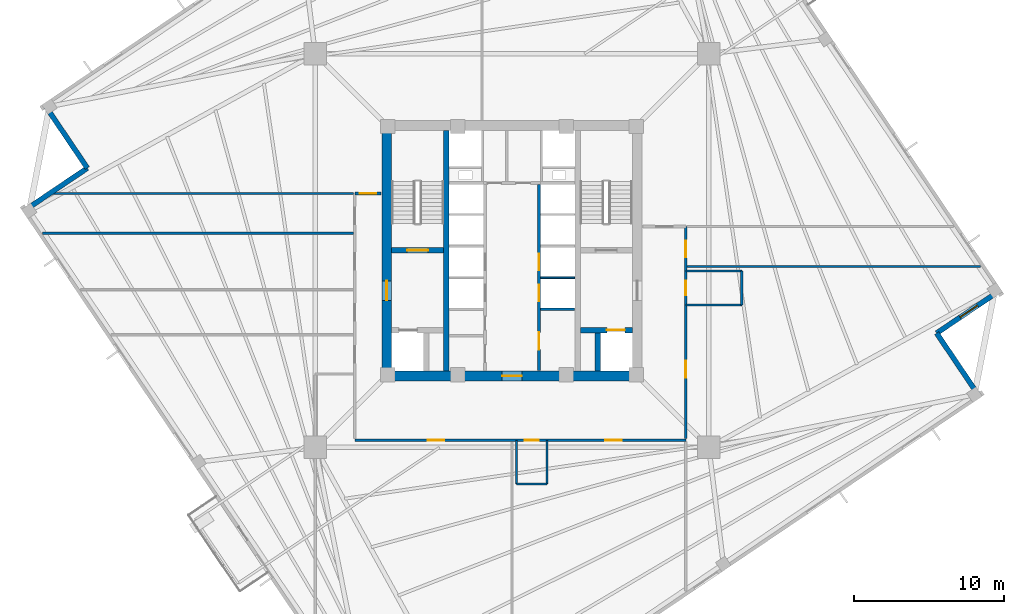
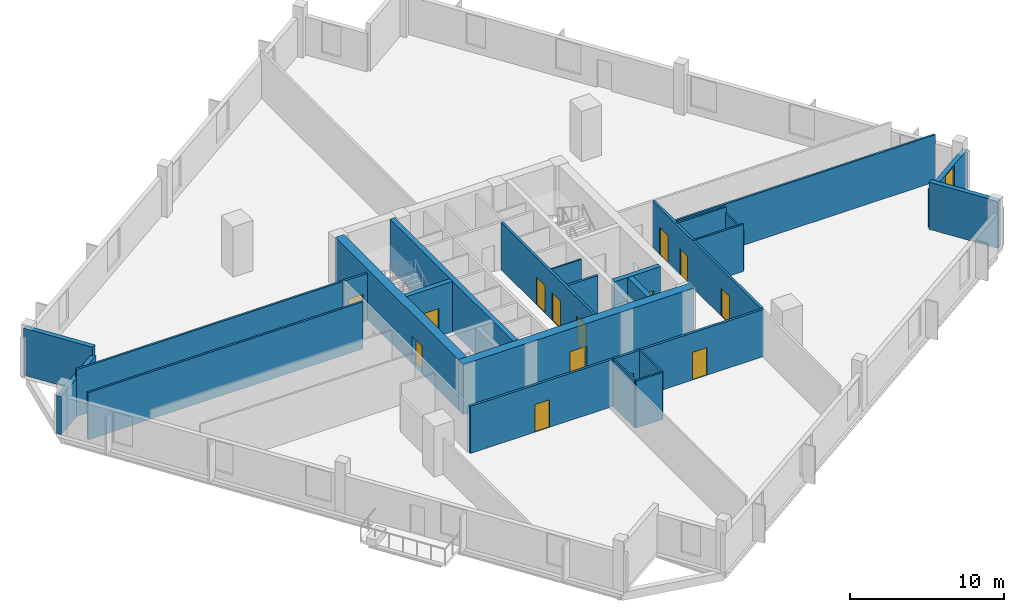
# One storey, part 4 of 9: 25 walls, 14 doors, 1 window, 15 openings.
"""IFC4 building model written with IfcOpenShell, lengths in metres."""

from ifc_helpers import new_model, si_unit, direction, frame, frame_2d, origin, place, context, subcontext, project, spatial, rectangle, extrude, source, transform, mapped, material, layer, layer_set, type_object, element, fill, save


model = new_model("IFC4")

# Units and contexts
model_context = context("Model", 3, precision=1e-05, world=origin(), true_north=direction((0.0, 1.0)))
body_context = subcontext(model_context, "Body", "Model", "MODEL_VIEW")
ifc_project = project(units=[si_unit("LENGTHUNIT", "METRE"), si_unit("AREAUNIT", "SQUARE_METRE"), si_unit("VOLUMEUNIT", "CUBIC_METRE"), si_unit("PLANEANGLEUNIT", "RADIAN"), si_unit("MASSUNIT", "GRAM", prefix="KILO"), si_unit("THERMODYNAMICTEMPERATUREUNIT", "KELVIN")], contexts=[model_context])

# Site, building, storey
site_placement = place(None, origin())
site = spatial("IfcSite", under=ifc_project, at=site_placement, CompositionType="ELEMENT")
building_placement = place(site_placement, origin())
building = spatial("IfcBuilding", under=site, at=building_placement, Name="Kosmvard Interchange Tower", CompositionType="ELEMENT")
storey_placement = place(building_placement, frame((0.0, 0.0, 180.39990234375)))
storey = spatial("IfcBuildingStorey", under=building, at=storey_placement, Name="L43", CompositionType="ELEMENT", Elevation=180.39990234375)

# Walls
ifc_material_1 = material(Name="Acoustic gypsum partition system")
ifc_layer_1 = layer(ifc_material_1, 0.14990234375, Name="Acoustic gypsum partition system")
ifc_layer_set_1 = layer_set([ifc_layer_1], Name="Acoustic gypsum partition system")
wall_type_1 = type_object("IfcWallType", Name="Acoustic Suite & Meeting Partition 150", PredefinedType="PARTITIONING", material=ifc_layer_set_1)
wall_1_placement = place(storey_placement, frame((-31.20263671875, 1.14990234375, 0.0), z_axis=(0.0, 0.0, 1.0), x_axis=(1.0, 0.0, 0.0)))
element("IfcWall", 1, at=wall_1_placement, inside=storey, type_object=wall_type_1, Name="L43 Room Partition 02.1", PredefinedType="PARTITIONING", context=body_context, shape_type="SweptSolid", body=[
    extrude(rectangle(XDim=20.65771484375, YDim=0.14990234375, at=frame_2d((10.328857421875, 0.0))), origin(), (0.0, 0.0, 1.0), 3.739990234375),
])
wall_2_placement = place(storey_placement, frame((-30.534423828125, 3.800048828125, 0.0), z_axis=(0.0, 0.0, 1.0), x_axis=(1.0, 0.0, 0.0)))
element("IfcWall", 2, at=wall_2_placement, inside=storey, type_object=wall_type_1, Name="L43 Room Partition 03.1", PredefinedType="PARTITIONING", context=body_context, shape_type="SweptSolid", body=[
    extrude(rectangle(XDim=19.989501953125, YDim=0.14990234375, at=frame_2d((9.99462890625, 0.0))), origin(), (0.0, 0.0, 1.0), 3.739990234375),
])
wall_3_placement = place(storey_placement, frame((11.64501953125, -1.050048828125, 0.0), z_axis=(0.0, 0.0, 1.0), x_axis=(1.0, 0.0, 0.0)))
element("IfcWall", 3, at=wall_3_placement, inside=storey, type_object=wall_type_1, Name="L43 Room Partition 04.1", PredefinedType="PARTITIONING", context=body_context, shape_type="SweptSolid", body=[
    extrude(rectangle(XDim=19.489990234375, YDim=0.14990234375, at=frame_2d((9.7451171875, 0.0))), origin(), (0.0, 0.0, 1.0), 3.739990234375),
])

# Wall, openings, doors
ifc_material_2 = material(Name="Fire-rated gypsum partition system")
ifc_layer_2 = layer(ifc_material_2, 0.179931640625, Name="Fire-rated gypsum partition system")
ifc_layer_set_2 = layer_set([ifc_layer_2], Name="Fire-rated gypsum partition system")
wall_type_2 = type_object("IfcWallType", Name="Corridor & Hotel Compartment Partition 180", PredefinedType="PARTITIONING", material=ifc_layer_set_2)
wall_4_placement = place(storey_placement, frame((1.7900390625, -7.97998046875, 0.0), z_axis=(0.0, 0.0, 1.0), x_axis=(0.0, 1.0, 0.0)))
wall_4 = element("IfcWall", 4, at=wall_4_placement, inside=storey, type_object=wall_type_2, Name="L43 East Lift Bank Front Wall", PredefinedType="PARTITIONING", context=body_context, shape_type="SweptSolid", body=[
    extrude(rectangle(XDim=12.3798828125, YDim=0.179931640625, at=frame_2d((6.18994140625, 0.0))), origin(), (0.0, 0.0, 1.0), 3.739990234375),
])
opening_1_placement = place(wall_4_placement, frame((4.60009765625, 0.0, 0.0)))
opening_1 = element("IfcOpeningElement", 5, at=opening_1_placement, cuts=wall_4, Name="Opening LD-PL-M3-L43", PredefinedType="OPENING", context=body_context, shape_type="SweptSolid", body=[
    extrude(rectangle(XDim=1.10009765625, YDim=2.199951171875, at=frame_2d((0.550048828125, 1.10009765625))), frame((0.0, 0.10009765625, 0.0), z_axis=(0.0, -1.0, 0.0), x_axis=(1.0, 0.0, 0.0)), (0.0, 0.0, 1.0), 0.199951171875),
])
opening_2_placement = place(wall_4_placement, frame((6.659912109375, 0.0, 0.0)))
opening_2 = element("IfcOpeningElement", 6, at=opening_2_placement, cuts=wall_4, Name="Opening LD-PL-M4-L43", PredefinedType="OPENING", context=body_context, shape_type="SweptSolid", body=[
    extrude(rectangle(XDim=1.10009765625, YDim=2.199951171875, at=frame_2d((0.550048828125, 1.10009765625))), frame((0.0, 0.10009765625, 0.0), z_axis=(0.0, -1.0, 0.0), x_axis=(1.0, 0.0, 0.0)), (0.0, 0.0, 1.0), 0.199951171875),
])
opening_3_placement = place(wall_4_placement, frame((1.39990234375, 0.0, 0.0)))
opening_3 = element("IfcOpeningElement", 7, at=opening_3_placement, cuts=wall_4, Name="Opening L43-CD3", PredefinedType="OPENING", context=body_context, shape_type="SweptSolid", body=[
    extrude(rectangle(XDim=1.14990234375, YDim=2.25, at=frame_2d((0.574951171875, 1.125))), frame((0.0, 0.10009765625, 0.0), z_axis=(0.0, -1.0, 0.0), x_axis=(1.0, 0.0, 0.0)), (0.0, 0.0, 1.0), 0.199951171875),
])
ifc_material_3 = material(Name="Painted fire-rated steel leaf", Category="steel")
door_type_1 = type_object("IfcDoorType", Name="Plant & Riser Fire Door 1150x2250 EI60", OperationType="NOTDEFINED", PredefinedType="DOOR", material=ifc_material_3)
shared_shape_1 = source(origin(), body_context, "Body", "SweptSolid", [
    extrude(rectangle(XDim=1.14990234375, YDim=2.25, at=frame_2d((0.574951171875, 1.125))), frame((0.0, 0.02490234375, 0.0), z_axis=(0.0, -1.0, 0.0), x_axis=(1.0, 0.0, 0.0)), (0.0, 0.0, 1.0), 0.050048828125),
])
door_1_placement = place(opening_3_placement, frame((1.14990234375, 0.0, 0.0), z_axis=(0.0, 0.0, 1.0), x_axis=(-1.0, 0.0, 0.0)))
door_1 = element("IfcDoor", 8, at=door_1_placement, inside=storey, type_object=door_type_1, Name="L43 Core Telecoms Door", OperationType="SINGLE_SWING_RIGHT", OverallHeight=2.25, OverallWidth=1.14990234375, PredefinedType="DOOR", context=body_context, shape_type="MappedRepresentation", body=[
    mapped(shared_shape_1, transform((0.0, 0.0, 0.0), scale=1.0)),
])
fill(opening_3, door_1)
ifc_material_4 = material(Name="Brushed stainless steel sliding leaf", Category="steel")
door_type_2 = type_object("IfcDoorType", Name="Passenger Lift Sliding Landing Door 1100x2200 EI60", OperationType="DOUBLE_DOOR_SLIDING", PredefinedType="DOOR", material=ifc_material_4)
shared_shape_2 = source(origin(), body_context, "Body", "SweptSolid", [
    extrude(rectangle(XDim=1.10009765625, YDim=2.199951171875, at=frame_2d((0.550048828125, 1.10009765625))), frame((0.0, 0.02490234375, 0.0), z_axis=(0.0, -1.0, 0.0), x_axis=(1.0, 0.0, 0.0)), (0.0, 0.0, 1.0), 0.050048828125),
])
door_2_placement = place(opening_1_placement, origin())
door_2 = element("IfcDoor", 9, at=door_2_placement, inside=storey, type_object=door_type_2, Name="Lift PL-M3 Landing Door L43", OperationType="DOUBLE_DOOR_SLIDING", OverallHeight=2.199951171875, OverallWidth=1.10009765625, PredefinedType="DOOR", context=body_context, shape_type="MappedRepresentation", body=[
    mapped(shared_shape_2, transform((0.0, 0.0, 0.0), scale=1.0)),
])
fill(opening_1, door_2)
door_3_placement = place(opening_2_placement, origin())
door_3 = element("IfcDoor", 10, at=door_3_placement, inside=storey, type_object=door_type_2, Name="Lift PL-M4 Landing Door L43", OperationType="DOUBLE_DOOR_SLIDING", OverallHeight=2.199951171875, OverallWidth=1.10009765625, PredefinedType="DOOR", context=body_context, shape_type="MappedRepresentation", body=[
    mapped(shared_shape_2, transform((0.0, 0.0, 0.0), scale=1.0)),
])
fill(opening_2, door_3)

wall_5_placement = place(storey_placement, frame((-10.449951171875, -12.60009765625, 0.0), z_axis=(0.0, 0.0, 1.0), x_axis=(1.0, 0.0, 0.0)))
wall_5 = element("IfcWall", 11, at=wall_5_placement, inside=storey, type_object=wall_type_2, Name="L43 Corridor Wall CS", PredefinedType="PARTITIONING", context=body_context, shape_type="SweptSolid", body=[
    extrude(rectangle(XDim=22.0, YDim=0.179931640625, at=frame_2d((11.0, 0.0))), origin(), (0.0, 0.0, 1.0), 3.739990234375),
])
opening_4_placement = place(wall_5_placement, frame((11.2861328125, 0.0, 0.0)))
opening_4 = element("IfcOpeningElement", 12, at=opening_4_placement, cuts=wall_5, Name="Opening L43-D01", PredefinedType="OPENING", context=body_context, shape_type="SweptSolid", body=[
    extrude(rectangle(XDim=0.949951171875, YDim=2.10009765625, at=frame_2d((0.47509765625, 1.050048828125))), frame((0.0, 0.10009765625, 0.0), z_axis=(0.0, -1.0, 0.0), x_axis=(1.0, 0.0, 0.0)), (0.0, 0.0, 1.0), 0.199951171875),
])
opening_5_placement = place(wall_5_placement, frame((4.83935546875, 0.0, 0.0)))
opening_5 = element("IfcOpeningElement", 13, at=opening_5_placement, cuts=wall_5, Name="Opening L43-D10", PredefinedType="OPENING", context=body_context, shape_type="SweptSolid", body=[
    extrude(rectangle(XDim=1.10009765625, YDim=2.199951171875, at=frame_2d((0.550048828125, 1.10009765625))), frame((0.0, 0.10009765625, 0.0), z_axis=(0.0, -1.0, 0.0), x_axis=(1.0, 0.0, 0.0)), (0.0, 0.0, 1.0), 0.199951171875),
])
opening_6_placement = place(wall_5_placement, frame((16.66015625, 0.0, 0.0)))
opening_6 = element("IfcOpeningElement", 14, at=opening_6_placement, cuts=wall_5, Name="Opening L43-D11", PredefinedType="OPENING", context=body_context, shape_type="SweptSolid", body=[
    extrude(rectangle(XDim=1.10009765625, YDim=2.199951171875, at=frame_2d((0.550048828125, 1.10009765625))), frame((0.0, 0.10009765625, 0.0), z_axis=(0.0, -1.0, 0.0), x_axis=(1.0, 0.0, 0.0)), (0.0, 0.0, 1.0), 0.199951171875),
])
ifc_material_5 = material(Name="Laminated moisture-resistant timber", Category="wood")
door_type_3 = type_object("IfcDoorType", Name="Accessible Washroom Door 950x2100", OperationType="NOTDEFINED", PredefinedType="DOOR", material=ifc_material_5)
shared_shape_3 = source(origin(), body_context, "Body", "SweptSolid", [
    extrude(rectangle(XDim=0.949951171875, YDim=2.10009765625, at=frame_2d((0.47509765625, 1.050048828125))), frame((0.0, 0.02490234375, 0.0), z_axis=(0.0, -1.0, 0.0), x_axis=(1.0, 0.0, 0.0)), (0.0, 0.0, 1.0), 0.050048828125),
])
door_4_placement = place(opening_4_placement, frame((0.949951171875, 0.0, 0.0), z_axis=(0.0, 0.0, 1.0), x_axis=(-1.0, 0.0, 0.0)))
door_4 = element("IfcDoor", 15, at=door_4_placement, inside=storey, type_object=door_type_3, Name="L43 Accessible Toilet Door", OperationType="SINGLE_SWING_LEFT", OverallHeight=2.10009765625, OverallWidth=0.949951171875, PredefinedType="DOOR", context=body_context, shape_type="MappedRepresentation", body=[
    mapped(shared_shape_3, transform((0.0, 0.0, 0.0), scale=1.0)),
])
fill(opening_4, door_4)
ifc_material_6 = material(Name="Engineered oak fire-rated timber", Category="wood")
door_type_4 = type_object("IfcDoorType", Name="Office Suite Entrance Door 1100x2200 FD30S", OperationType="NOTDEFINED", PredefinedType="DOOR", material=ifc_material_6)
door_5_placement = place(opening_5_placement, frame((1.10009765625, 0.0, 0.0), z_axis=(0.0, 0.0, 1.0), x_axis=(-1.0, 0.0, 0.0)))
door_5 = element("IfcDoor", 16, at=door_5_placement, inside=storey, type_object=door_type_4, Name="L43 Sky Terrace Espresso Cafe Door", OperationType="SINGLE_SWING_RIGHT", OverallHeight=2.199951171875, OverallWidth=1.10009765625, PredefinedType="DOOR", context=body_context, shape_type="MappedRepresentation", body=[
    mapped(shared_shape_2, transform((0.0, 0.0, 0.0), scale=1.0)),
])
fill(opening_5, door_5)
door_6_placement = place(opening_6_placement, frame((1.10009765625, 0.0, 0.0), z_axis=(0.0, 0.0, 1.0), x_axis=(-1.0, 0.0, 0.0)))
door_6 = element("IfcDoor", 17, at=door_6_placement, inside=storey, type_object=door_type_4, Name="L43 Operations Boardroom 1 Door", OperationType="SINGLE_SWING_LEFT", OverallHeight=2.199951171875, OverallWidth=1.10009765625, PredefinedType="DOOR", context=body_context, shape_type="MappedRepresentation", body=[
    mapped(shared_shape_2, transform((0.0, 0.0, 0.0), scale=1.0)),
])
fill(opening_6, door_6)

wall_6_placement = place(storey_placement, frame((11.550048828125, -12.5, 0.0), z_axis=(0.0, 0.0, 1.0), x_axis=(0.0, 1.0, 0.0)))
wall_6 = element("IfcWall", 18, at=wall_6_placement, inside=storey, type_object=wall_type_2, Name="L43 Corridor Wall CE", PredefinedType="PARTITIONING", context=body_context, shape_type="SweptSolid", body=[
    extrude(rectangle(XDim=14.10009765625, YDim=0.179931640625, at=frame_2d((7.050048828125, 0.0))), origin(), (0.0, 0.0, 1.0), 3.739990234375),
])
opening_7_placement = place(wall_6_placement, frame((9.538818359375, 0.0, 0.0)))
opening_7 = element("IfcOpeningElement", 19, at=opening_7_placement, cuts=wall_6, Name="Opening L43-D02", PredefinedType="OPENING", context=body_context, shape_type="SweptSolid", body=[
    extrude(rectangle(XDim=0.949951171875, YDim=2.10009765625, at=frame_2d((0.47509765625, 1.050048828125))), frame((0.0, 0.10009765625, 0.0), z_axis=(0.0, -1.0, 0.0), x_axis=(1.0, 0.0, 0.0)), (0.0, 0.0, 1.0), 0.199951171875),
])
opening_8_placement = place(wall_6_placement, frame((12.060546875, 0.0, 0.0)))
opening_8 = element("IfcOpeningElement", 20, at=opening_8_placement, cuts=wall_6, Name="Opening L43-D06", PredefinedType="OPENING", context=body_context, shape_type="SweptSolid", body=[
    extrude(rectangle(XDim=1.10009765625, YDim=2.199951171875, at=frame_2d((0.550048828125, 1.10009765625))), frame((0.0, 0.10009765625, 0.0), z_axis=(0.0, -1.0, 0.0), x_axis=(1.0, 0.0, 0.0)), (0.0, 0.0, 1.0), 0.199951171875),
])
opening_9_placement = place(wall_6_placement, frame((4.06494140625, 0.0, 0.0)))
opening_9 = element("IfcOpeningElement", 21, at=opening_9_placement, cuts=wall_6, Name="Opening L43-D12", PredefinedType="OPENING", context=body_context, shape_type="SweptSolid", body=[
    extrude(rectangle(XDim=1.10009765625, YDim=2.199951171875, at=frame_2d((0.550048828125, 1.10009765625))), frame((0.0, 0.10009765625, 0.0), z_axis=(0.0, -1.0, 0.0), x_axis=(1.0, 0.0, 0.0)), (0.0, 0.0, 1.0), 0.199951171875),
])
door_7_placement = place(opening_7_placement, frame((0.949951171875, 0.0, 0.0), z_axis=(0.0, 0.0, 1.0), x_axis=(-1.0, 0.0, 0.0)))
door_7 = element("IfcDoor", 22, at=door_7_placement, inside=storey, type_object=door_type_3, Name="L43 Public Floor Washroom Door", OperationType="SINGLE_SWING_RIGHT", OverallHeight=2.10009765625, OverallWidth=0.949951171875, PredefinedType="DOOR", context=body_context, shape_type="MappedRepresentation", body=[
    mapped(shared_shape_3, transform((0.0, 0.0, 0.0), scale=1.0)),
])
fill(opening_7, door_7)
door_8_placement = place(opening_8_placement, frame((1.10009765625, 0.0, 0.0), z_axis=(0.0, 0.0, 1.0), x_axis=(-1.0, 0.0, 0.0)))
door_8 = element("IfcDoor", 23, at=door_8_placement, inside=storey, type_object=door_type_4, Name="L43 Tech Staff Fitness Studio Door", OperationType="SINGLE_SWING_RIGHT", OverallHeight=2.199951171875, OverallWidth=1.10009765625, PredefinedType="DOOR", context=body_context, shape_type="MappedRepresentation", body=[
    mapped(shared_shape_2, transform((0.0, 0.0, 0.0), scale=1.0)),
])
fill(opening_8, door_8)
door_9_placement = place(opening_9_placement, frame((1.10009765625, 0.0, 0.0), z_axis=(0.0, 0.0, 1.0), x_axis=(-1.0, 0.0, 0.0)))
door_9 = element("IfcDoor", 24, at=door_9_placement, inside=storey, type_object=door_type_4, Name="L43 South-East Open DevOps Studio Door", OperationType="SINGLE_SWING_RIGHT", OverallHeight=2.199951171875, OverallWidth=1.10009765625, PredefinedType="DOOR", context=body_context, shape_type="MappedRepresentation", body=[
    mapped(shared_shape_2, transform((0.0, 0.0, 0.0), scale=1.0)),
])
fill(opening_9, door_9)

# Wall, opening, door
wall_7_placement = place(storey_placement, frame((-10.449951171875, 3.800048828125, 0.0), z_axis=(0.0, 0.0, 1.0), x_axis=(1.0, 0.0, 0.0)))
wall_7 = element("IfcWall", 25, at=wall_7_placement, inside=storey, type_object=wall_type_2, Name="L43 Corridor Wall CNW", PredefinedType="PARTITIONING", context=body_context, shape_type="SweptSolid", body=[
    extrude(rectangle(XDim=1.75, YDim=0.179931640625, at=frame_2d((0.875, 0.0))), origin(), (0.0, 0.0, 1.0), 3.739990234375),
])
opening_10_placement = place(wall_7_placement, frame((0.324951171875, 0.0, 0.0)))
opening_10 = element("IfcOpeningElement", 26, at=opening_10_placement, cuts=wall_7, Name="Opening L43-D04", PredefinedType="OPENING", context=body_context, shape_type="SweptSolid", body=[
    extrude(rectangle(XDim=1.10009765625, YDim=2.199951171875, at=frame_2d((0.550048828125, 1.10009765625))), frame((0.0, 0.10009765625, 0.0), z_axis=(0.0, -1.0, 0.0), x_axis=(1.0, 0.0, 0.0)), (0.0, 0.0, 1.0), 0.199951171875),
])
door_10_placement = place(opening_10_placement, origin())
door_10 = element("IfcDoor", 27, at=door_10_placement, inside=storey, type_object=door_type_4, Name="L43 North-West Cyber Operations Workplace Door", OperationType="SINGLE_SWING_RIGHT", OverallHeight=2.199951171875, OverallWidth=1.10009765625, PredefinedType="DOOR", context=body_context, shape_type="MappedRepresentation", body=[
    mapped(shared_shape_2, transform((0.0, 0.0, 0.0), scale=1.0)),
])
fill(opening_10, door_10)

ifc_material_7 = material(Name="Concrete C70/85", Category="concrete")
ifc_layer_3 = layer(ifc_material_7, 0.64990234375, Name="Concrete C70/85")
ifc_layer_set_3 = layer_set([ifc_layer_3], Name="Concrete C70/85")
wall_type_3 = type_object("IfcWallType", Name="Mid Core Shear Wall 650 C70/85", PredefinedType="SHEAR", material=ifc_layer_set_3)
wall_8_placement = place(storey_placement, frame((-8.64990234375, -8.324951171875, 0.0), z_axis=(0.0, 0.0, 1.0), x_axis=(1.0, 0.0, 0.0)))
wall_8 = element("IfcWall", 28, at=wall_8_placement, inside=storey, type_object=wall_type_3, Name="L43 Core Shear Wall CW-S", PredefinedType="SHEAR", context=body_context, shape_type="SweptSolid", body=[
    extrude(rectangle(XDim=17.2998046875, YDim=0.64990234375, at=frame_2d((8.64990234375, 0.0))), origin(), (0.0, 0.0, 1.0), 4.0),
])
opening_11_placement = place(wall_8_placement, frame((8.0, 0.0, 0.0)))
opening_11 = element("IfcOpeningElement", 29, at=opening_11_placement, cuts=wall_8, Name="Opening L43-LD0", PredefinedType="OPENING", context=body_context, shape_type="SweptSolid", body=[
    extrude(rectangle(XDim=1.300048828125, YDim=2.199951171875, at=frame_2d((0.64990234375, 1.10009765625))), frame((0.0, 0.3349609375, 0.0), z_axis=(0.0, -1.0, 0.0), x_axis=(1.0, 0.0, 0.0)), (0.0, 0.0, 1.0), 0.669921875),
])
door_type_5 = type_object("IfcDoorType", Name="Firefighting Lobby Door 1300x2200 EI60", OperationType="NOTDEFINED", PredefinedType="DOOR", material=ifc_material_3)
shared_shape_4 = source(origin(), body_context, "Body", "SweptSolid", [
    extrude(rectangle(XDim=1.300048828125, YDim=2.199951171875, at=frame_2d((0.64990234375, 1.10009765625))), frame((0.0, 0.02490234375, 0.0), z_axis=(0.0, -1.0, 0.0), x_axis=(1.0, 0.0, 0.0)), (0.0, 0.0, 1.0), 0.050048828125),
])
door_11_placement = place(opening_11_placement, frame((1.300048828125, 0.0, 0.0), z_axis=(0.0, 0.0, 1.0), x_axis=(-1.0, 0.0, 0.0)))
door_11 = element("IfcDoor", 30, at=door_11_placement, inside=storey, type_object=door_type_5, Name="L43 Passenger Lift Lobby South Door", OperationType="SINGLE_SWING_LEFT", OverallHeight=2.199951171875, OverallWidth=1.300048828125, PredefinedType="DOOR", context=body_context, shape_type="MappedRepresentation", body=[
    mapped(shared_shape_4, transform((0.0, 0.0, 0.0), scale=1.0)),
])
fill(opening_11, door_11)

wall_9_placement = place(storey_placement, frame((-8.324951171875, -8.0, 0.0), z_axis=(0.0, 0.0, 1.0), x_axis=(0.0, 1.0, 0.0)))
wall_9 = element("IfcWall", 31, at=wall_9_placement, inside=storey, type_object=wall_type_3, Name="L43 Core Shear Wall CW-W", PredefinedType="SHEAR", context=body_context, shape_type="SweptSolid", body=[
    extrude(rectangle(XDim=16.0, YDim=0.64990234375, at=frame_2d((8.0, 0.0))), origin(), (0.0, 0.0, 1.0), 4.0),
])
opening_12_placement = place(wall_9_placement, frame((4.68994140625, 0.0, 0.0)))
opening_12 = element("IfcOpeningElement", 32, at=opening_12_placement, cuts=wall_9, Name="Opening L43-FD1", PredefinedType="OPENING", context=body_context, shape_type="SweptSolid", body=[
    extrude(rectangle(XDim=1.300048828125, YDim=2.199951171875, at=frame_2d((0.64990234375, 1.10009765625))), frame((0.0, 0.3349609375, 0.0), z_axis=(0.0, -1.0, 0.0), x_axis=(1.0, 0.0, 0.0)), (0.0, 0.0, 1.0), 0.669921875),
])
door_12_placement = place(opening_12_placement, frame((1.300048828125, 0.0, 0.0), z_axis=(0.0, 0.0, 1.0), x_axis=(-1.0, 0.0, 0.0)))
door_12 = element("IfcDoor", 33, at=door_12_placement, inside=storey, type_object=door_type_5, Name="L43 Firefighting Lobby West Door", OperationType="SINGLE_SWING_LEFT", OverallHeight=2.199951171875, OverallWidth=1.300048828125, PredefinedType="DOOR", context=body_context, shape_type="MappedRepresentation", body=[
    mapped(shared_shape_4, transform((0.0, 0.0, 0.0), scale=1.0)),
])
fill(opening_12, door_12)

# Wall
ifc_material_8 = material(Name="Precast concrete C45/55", Category="concrete")
ifc_layer_4 = layer(ifc_material_8, 0.340087890625, Name="Precast concrete C45/55")
ifc_layer_set_4 = layer_set([ifc_layer_4], Name="Precast concrete C45/55")
wall_type_4 = type_object("IfcWallType", Name="Mid Tower Precast Pier Wall 340 C45/55", PredefinedType="STANDARD", material=ifc_layer_set_4)
wall_10_placement = place(storey_placement, frame((31.018798828125, -9.631103515625, 0.0), z_axis=(0.0, 0.0, 1.0), x_axis=(-0.559210350234, 0.829025804298, 0.0)))
element("IfcWall", 34, at=wall_10_placement, inside=storey, type_object=wall_type_4, Name="L43 Precast Facade Wall N-SE1", PredefinedType="STANDARD", context=body_context, shape_type="SweptSolid", body=[
    extrude(rectangle(XDim=5.000244140625, YDim=0.340087890625, at=frame_2d((2.5, 0.0))), origin(), (0.0, 0.0, 1.0), 3.739990234375),
])

# Wall, opening, window
wall_11_placement = place(storey_placement, frame((28.22265625, -5.48583984375, 0.0), z_axis=(0.0, 0.0, 1.0), x_axis=(0.82905227345, 0.559171107879, 0.0)))
wall_11 = element("IfcWall", 35, at=wall_11_placement, inside=storey, type_object=wall_type_4, Name="L43 Precast Facade Wall N-SE2", PredefinedType="STANDARD", context=body_context, shape_type="SweptSolid", body=[
    extrude(rectangle(XDim=5.169921875, YDim=0.340087890625, at=frame_2d((2.5849609375, 0.0))), origin(), (0.0, 0.0, 1.0), 3.0400390625),
])
opening_13_placement = place(wall_11_placement, frame((1.885009765625, 0.0, 0.56005859375)))
opening_13 = element("IfcOpeningElement", 36, at=opening_13_placement, cuts=wall_11, Name="Opening L43-W21", PredefinedType="OPENING", context=body_context, shape_type="SweptSolid", body=[
    extrude(rectangle(XDim=1.39990234375, YDim=2.39990234375, at=frame_2d((0.699951171875, 1.199951171875))), frame((0.0, 0.18017578125, 0.0), z_axis=(0.0, -1.0, 0.0), x_axis=(1.0, 0.0, 0.0)), (0.0, 0.0, 1.0), 0.360107421875),
])
ifc_material_9 = material(Name="Low-E solar-control double glazing", Category="glass")
window_type = type_object("IfcWindowType", Name="Notched Corner Feature Window 1400x2400", PartitioningType="SINGLE_PANEL", PredefinedType="WINDOW", material=ifc_material_9)
shared_shape_5 = source(origin(), body_context, "Body", "SweptSolid", [
    extrude(rectangle(XDim=1.39990234375, YDim=2.39990234375, at=frame_2d((0.699951171875, 1.199951171875))), frame((0.0, 0.030029296875, 0.0), z_axis=(0.0, -1.0, 0.0), x_axis=(1.0, 0.0, 0.0)), (0.0, 0.0, 1.0), 0.06005859375),
])
window_placement = place(opening_13_placement, origin())
window = element("IfcWindow", 37, at=window_placement, inside=storey, type_object=window_type, Name="L43 Corner Notch Window 21", OverallHeight=2.39990234375, OverallWidth=1.39990234375, PartitioningType="SINGLE_PANEL", PredefinedType="WINDOW", context=body_context, shape_type="MappedRepresentation", body=[
    mapped(shared_shape_5, transform((0.0, 0.0, 0.0), scale=1.0)),
])
fill(opening_13, window)

# Walls
wall_12_placement = place(storey_placement, frame((-31.018798828125, 9.631103515625, 0.0), z_axis=(0.0, 0.0, 1.0), x_axis=(0.559210350234, -0.829025804298, 0.0)))
element("IfcWall", 38, at=wall_12_placement, inside=storey, type_object=wall_type_4, Name="L43 Precast Facade Wall N-NW1", PredefinedType="STANDARD", context=body_context, shape_type="SweptSolid", body=[
    extrude(rectangle(XDim=5.000244140625, YDim=0.340087890625, at=frame_2d((2.5, 0.0))), origin(), (0.0, 0.0, 1.0), 3.739990234375),
])
wall_13_placement = place(storey_placement, frame((-28.22265625, 5.48583984375, 0.0), z_axis=(0.0, 0.0, 1.0), x_axis=(-0.82905227345, -0.559171107879, 0.0)))
element("IfcWall", 39, at=wall_13_placement, inside=storey, type_object=wall_type_4, Name="L43 Precast Facade Wall N-NW2", PredefinedType="STANDARD", context=body_context, shape_type="SweptSolid", body=[
    extrude(rectangle(XDim=5.169921875, YDim=0.340087890625, at=frame_2d((2.5849609375, 0.0))), origin(), (0.0, 0.0, 1.0), 3.0400390625),
])
ifc_material_10 = material(Name="Concrete blockwork masonry", Category="masonry")
ifc_layer_5 = layer(ifc_material_10, 0.179931640625, Name="Concrete blockwork masonry")
ifc_layer_set_5 = layer_set([ifc_layer_5], Name="Concrete blockwork masonry")
wall_type_5 = type_object("IfcWallType", Name="Riser & Lift Bank Divider Wall 180", PredefinedType="PARTITIONING", material=ifc_layer_set_5)
wall_14_placement = place(storey_placement, frame((1.889892578125, -3.89990234375, 0.0), z_axis=(0.0, 0.0, 1.0), x_axis=(1.0, 0.0, 0.0)))
element("IfcWall", 40, at=wall_14_placement, inside=storey, type_object=wall_type_5, Name="L43 East Bank Divider BD1", PredefinedType="PARTITIONING", context=body_context, shape_type="SweptSolid", body=[
    extrude(rectangle(XDim=2.280029296875, YDim=0.179931640625, at=frame_2d((1.14013671875, 0.0))), origin(), (0.0, 0.0, 1.0), 3.739990234375),
])
ifc_material_11 = material(Name="Fire-rated gypsum shaftwall system")
ifc_layer_6 = layer(ifc_material_11, 0.1201171875, Name="Fire-rated gypsum shaftwall system")
ifc_layer_set_6 = layer_set([ifc_layer_6], Name="Fire-rated gypsum shaftwall system")
wall_type_6 = type_object("IfcWallType", Name="Shaft & Riser Fire Partition 120 EI60", PredefinedType="PARTITIONING", material=ifc_layer_set_6)
wall_15_placement = place(storey_placement, frame((1.89990234375, -1.800048828125, 0.0), z_axis=(0.0, 0.0, 1.0), x_axis=(1.0, 0.0, 0.0)))
element("IfcWall", 41, at=wall_15_placement, inside=storey, type_object=wall_type_6, Name="L43 Shaft Divider PL-M3", PredefinedType="PARTITIONING", context=body_context, shape_type="SweptSolid", body=[
    extrude(rectangle(XDim=2.260009765625, YDim=0.1201171875, at=frame_2d((1.1298828125, 0.0))), origin(), (0.0, 0.0, 1.0), 3.739990234375),
])
ifc_material_12 = material(Name="Concrete C60/75", Category="concrete")
ifc_layer_7 = layer(ifc_material_12, 0.360107421875, Name="Concrete C60/75")
ifc_layer_set_7 = layer_set([ifc_layer_7], Name="Concrete C60/75")
wall_type_7 = type_object("IfcWallType", Name="Stair & Lift Shaft Shear Wall 360 C60/75", PredefinedType="SHEAR", material=ifc_layer_set_7)
wall_16_placement = place(storey_placement, frame((-4.360107421875, -8.0, 0.0), z_axis=(0.0, 0.0, 1.0), x_axis=(0.0, 1.0, 0.0)))
element("IfcWall", 42, at=wall_16_placement, inside=storey, type_object=wall_type_7, Name="L43 Shaft Shear Wall SW-W", PredefinedType="SHEAR", context=body_context, shape_type="SweptSolid", body=[
    extrude(rectangle(XDim=16.0, YDim=0.360107421875, at=frame_2d((8.0, 0.0))), origin(), (0.0, 0.0, 1.0), 4.0),
])

# Wall, opening, door
wall_17_placement = place(storey_placement, frame((-8.0, 0.02001953125, 0.0), z_axis=(0.0, 0.0, 1.0), x_axis=(1.0, 0.0, 0.0)))
wall_17 = element("IfcWall", 43, at=wall_17_placement, inside=storey, type_object=wall_type_7, Name="L43 Shaft Shear Wall SW-ST1", PredefinedType="SHEAR", context=body_context, shape_type="SweptSolid", body=[
    extrude(rectangle(XDim=3.4599609375, YDim=0.360107421875, at=frame_2d((1.72998046875, 0.0))), origin(), (0.0, 0.0, 1.0), 4.0),
])
opening_14_placement = place(wall_17_placement, frame((1.030029296875, 0.0, 0.0)))
opening_14 = element("IfcOpeningElement", 44, at=opening_14_placement, cuts=wall_17, Name="Opening L43-SD1", PredefinedType="OPENING", context=body_context, shape_type="SweptSolid", body=[
    extrude(rectangle(XDim=1.39990234375, YDim=2.199951171875, at=frame_2d((0.699951171875, 1.10009765625))), frame((0.0, 0.18994140625, 0.0), z_axis=(0.0, -1.0, 0.0), x_axis=(1.0, 0.0, 0.0)), (0.0, 0.0, 1.0), 0.380126953125),
])
door_type_6 = type_object("IfcDoorType", Name="Protected Stair Door 1400x2200 FD60S", OperationType="NOTDEFINED", PredefinedType="DOOR", material=ifc_material_3)
shared_shape_6 = source(origin(), body_context, "Body", "SweptSolid", [
    extrude(rectangle(XDim=1.39990234375, YDim=2.199951171875, at=frame_2d((0.699951171875, 1.10009765625))), frame((0.0, 0.02490234375, 0.0), z_axis=(0.0, -1.0, 0.0), x_axis=(1.0, 0.0, 0.0)), (0.0, 0.0, 1.0), 0.050048828125),
])
door_13_placement = place(opening_14_placement, origin())
door_13 = element("IfcDoor", 45, at=door_13_placement, inside=storey, type_object=door_type_6, Name="L43 Stair ST-1 Enclosure Door", OperationType="SINGLE_SWING_LEFT", OverallHeight=2.199951171875, OverallWidth=1.39990234375, PredefinedType="DOOR", context=body_context, shape_type="MappedRepresentation", body=[
    mapped(shared_shape_6, transform((0.0, 0.0, 0.0), scale=1.0)),
])
fill(opening_14, door_13)

wall_18_placement = place(storey_placement, frame((4.5400390625, -5.280029296875, 0.0), z_axis=(0.0, 0.0, 1.0), x_axis=(1.0, 0.0, 0.0)))
wall_18 = element("IfcWall", 46, at=wall_18_placement, inside=storey, type_object=wall_type_7, Name="L43 Shaft Shear Wall SW-FF2", PredefinedType="SHEAR", context=body_context, shape_type="SweptSolid", body=[
    extrude(rectangle(XDim=3.4599609375, YDim=0.360107421875, at=frame_2d((1.72998046875, 0.0))), origin(), (0.0, 0.0, 1.0), 4.0),
])
opening_15_placement = place(wall_18_placement, frame((1.760009765625, 0.0, 0.0)))
opening_15 = element("IfcOpeningElement", 47, at=opening_15_placement, cuts=wall_18, Name="Opening LD-FF-2-L43", PredefinedType="OPENING", context=body_context, shape_type="SweptSolid", body=[
    extrude(rectangle(XDim=1.199951171875, YDim=2.25, at=frame_2d((0.60009765625, 1.125))), frame((0.0, 0.18994140625, 0.0), z_axis=(0.0, -1.0, 0.0), x_axis=(1.0, 0.0, 0.0)), (0.0, 0.0, 1.0), 0.380126953125),
])
door_type_7 = type_object("IfcDoorType", Name="Firefighting Lift Sliding Landing Door 1200x2250 EI120", OperationType="DOUBLE_DOOR_SLIDING", PredefinedType="DOOR", material=ifc_material_4)
shared_shape_7 = source(origin(), body_context, "Body", "SweptSolid", [
    extrude(rectangle(XDim=1.199951171875, YDim=2.25, at=frame_2d((0.60009765625, 1.125))), frame((0.0, 0.02490234375, 0.0), z_axis=(0.0, -1.0, 0.0), x_axis=(1.0, 0.0, 0.0)), (0.0, 0.0, 1.0), 0.050048828125),
])
door_14_placement = place(opening_15_placement, origin())
door_14 = element("IfcDoor", 48, at=door_14_placement, inside=storey, type_object=door_type_7, Name="Lift FF-2 Landing Door L43", OperationType="DOUBLE_DOOR_SLIDING", OverallHeight=2.25, OverallWidth=1.199951171875, PredefinedType="DOOR", context=body_context, shape_type="MappedRepresentation", body=[
    mapped(shared_shape_7, transform((0.0, 0.0, 0.0), scale=1.0)),
])
fill(opening_15, door_14)

# Walls
wall_19_placement = place(storey_placement, frame((5.7099609375, -8.0, 0.0), z_axis=(0.0, 0.0, 1.0), x_axis=(0.0, 1.0, 0.0)))
element("IfcWall", 49, at=wall_19_placement, inside=storey, type_object=wall_type_7, Name="L43 Shaft Shear Wall SW-SM2", PredefinedType="SHEAR", context=body_context, shape_type="SweptSolid", body=[
    extrude(rectangle(XDim=2.5400390625, YDim=0.360107421875, at=frame_2d((1.27001953125, 0.0))), origin(), (0.0, 0.0, 1.0), 4.0),
])
ifc_material_13 = material(Name="Moisture-resistant gypsum partition")
ifc_layer_8 = layer(ifc_material_13, 0.135009765625, Name="Moisture-resistant gypsum partition")
ifc_layer_set_8 = layer_set([ifc_layer_8], Name="Moisture-resistant gypsum partition")
wall_type_8 = type_object("IfcWallType", Name="Wet Room Moisture-Resistant Partition 135", PredefinedType="PARTITIONING", material=ifc_layer_set_8)
wall_20_placement = place(storey_placement, frame((0.31103515625, -15.52001953125, 0.0), z_axis=(0.0, 0.0, 1.0), x_axis=(1.0, 0.0, 0.0)))
element("IfcWall", 50, at=wall_20_placement, inside=storey, type_object=wall_type_8, Name="L43 Washroom Partition AWC1-S", PredefinedType="PARTITIONING", context=body_context, shape_type="SweptSolid", body=[
    extrude(rectangle(XDim=2.0, YDim=0.135009765625, at=frame_2d((1.0, 0.0))), origin(), (0.0, 0.0, 1.0), 3.739990234375),
])
for number, where, z_axis, x_axis, name in (
    (51, (2.31103515625, -15.52001953125, 0.0), (0.0, 0.0, 1.0), (0.0, 1.0, 0.0), "L43 Washroom Partition AWC1-E"),
    (52, (0.31103515625, -15.52001953125, 0.0), (0.0, 0.0, 1.0), (0.0, 1.0, 0.0), "L43 Washroom Partition AWC1-W"),
):
    element("IfcWall", number, at=place(storey_placement, frame(where, z_axis=z_axis, x_axis=x_axis)), inside=storey, type_object=wall_type_8, Name=name, PredefinedType="PARTITIONING", context=body_context, shape_type="SweptSolid", body=[
        extrude(rectangle(XDim=2.89990234375, YDim=0.135009765625, at=frame_2d((1.449951171875, 0.0))), origin(), (0.0, 0.0, 1.0), 3.739990234375),
    ])
wall_21_placement = place(storey_placement, frame((11.570068359375, -3.611083984375, 0.0), z_axis=(0.0, 0.0, 1.0), x_axis=(1.0, 0.0, 0.0)))
element("IfcWall", 53, at=wall_21_placement, inside=storey, type_object=wall_type_8, Name="L43 Washroom Partition WC1-S", PredefinedType="PARTITIONING", context=body_context, shape_type="SweptSolid", body=[
    extrude(rectangle(XDim=3.699951171875, YDim=0.135009765625, at=frame_2d((1.85009765625, 0.0))), origin(), (0.0, 0.0, 1.0), 3.739990234375),
])
wall_22_placement = place(storey_placement, frame((15.27001953125, -3.611083984375, 0.0), z_axis=(0.0, 0.0, 1.0), x_axis=(0.0, 1.0, 0.0)))
element("IfcWall", 54, at=wall_22_placement, inside=storey, type_object=wall_type_8, Name="L43 Washroom Partition WC1-E", PredefinedType="PARTITIONING", context=body_context, shape_type="SweptSolid", body=[
    extrude(rectangle(XDim=2.25, YDim=0.135009765625, at=frame_2d((1.125, 0.0))), origin(), (0.0, 0.0, 1.0), 3.239990234375),
])
wall_23_placement = place(storey_placement, frame((11.570068359375, -1.361083984375, 0.0), z_axis=(0.0, 0.0, 1.0), x_axis=(1.0, 0.0, 0.0)))
element("IfcWall", 55, at=wall_23_placement, inside=storey, type_object=wall_type_8, Name="L43 Washroom Partition WC1-N", PredefinedType="PARTITIONING", context=body_context, shape_type="SweptSolid", body=[
    extrude(rectangle(XDim=3.699951171875, YDim=0.135009765625, at=frame_2d((1.85009765625, 0.0))), origin(), (0.0, 0.0, 1.0), 3.739990234375),
])

save(model, "model.ifc")
